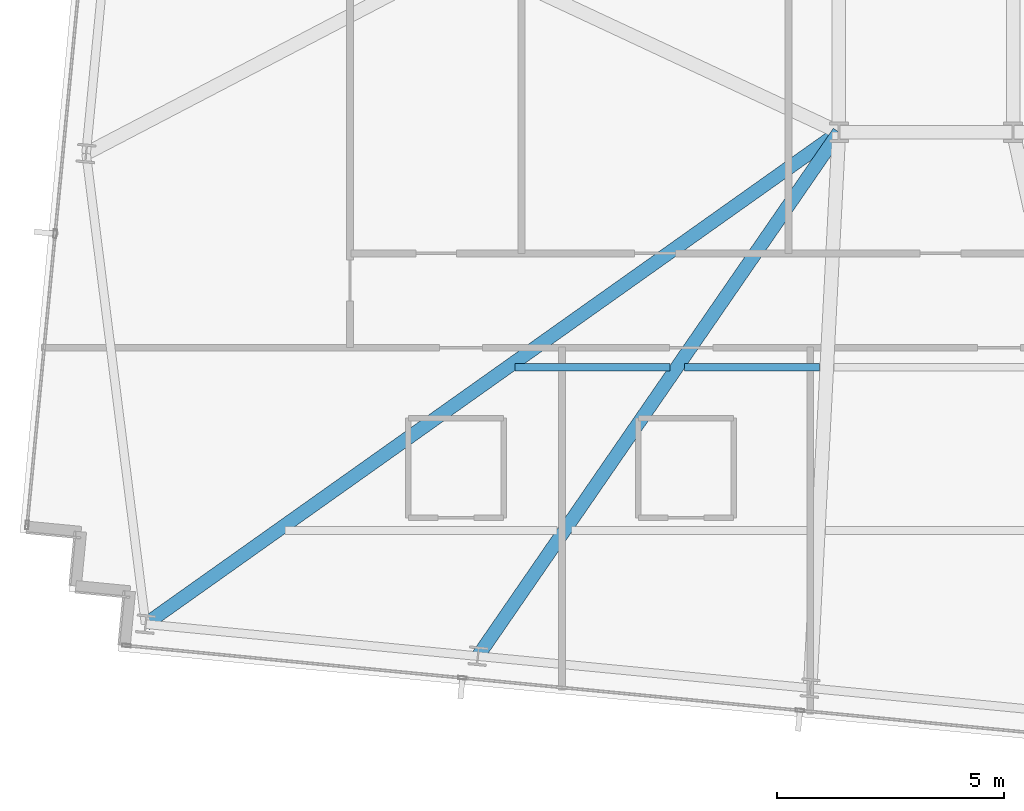
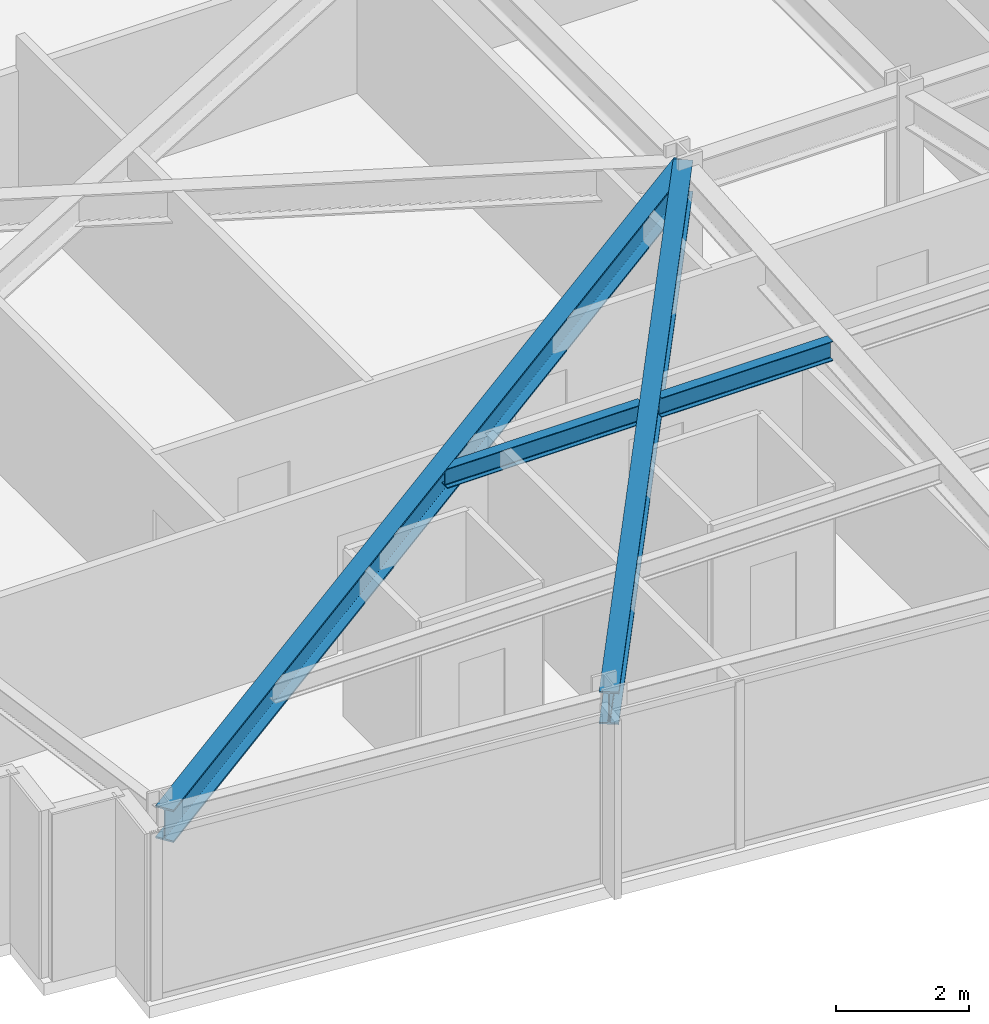
# One storey, part 5 of 38: 4 beams.
"""IFC4 building model written with IfcOpenShell, lengths in metres."""

from ifc_helpers import new_model, si_unit, direction, frame, origin, origin_2d, place, context, subcontext, project, spatial, i_section, extrude, material, material_profile, profile_set, type_object, element, save


model = new_model("IFC4")

# Units and contexts
model_context = context("Model", 3, precision=1e-05, world=origin(), true_north=direction((0.0, 1.0)))
body_context = subcontext(model_context, "Body", "Model", "MODEL_VIEW")
ifc_project = project(units=[si_unit("LENGTHUNIT", "METRE"), si_unit("AREAUNIT", "SQUARE_METRE"), si_unit("VOLUMEUNIT", "CUBIC_METRE"), si_unit("PLANEANGLEUNIT", "RADIAN"), si_unit("MASSUNIT", "GRAM", prefix="KILO")], contexts=[model_context])

# Site, building, storey
site_placement = place(None, origin())
site = spatial("IfcSite", under=ifc_project, at=site_placement, CompositionType="ELEMENT")
building_placement = place(site_placement, origin())
building = spatial("IfcBuilding", under=site, at=building_placement, Name="Yelkora Congress Tower", CompositionType="ELEMENT")
storey_placement = place(building_placement, frame((0.0, 0.0, 185.300048828125)))
storey = spatial("IfcBuildingStorey", under=building, at=storey_placement, Name="L51", CompositionType="ELEMENT", Elevation=185.300048828125)

# Beams
ifc_material = material(Name="Steel S355J2", Category="steel")
ifc_material_profile_1 = material_profile(ifc_material, i_section(OverallWidth=0.300048828125, OverallDepth=0.60009765625, WebThickness=0.015380859375, FlangeThickness=0.030029296875, FilletRadius=0.027099609375, at=origin_2d()), Name="HEB 600")
ifc_profile_set_1 = profile_set([ifc_material_profile_1], Name="Steel S355J2")
beam_type_1 = type_object("IfcBeamType", Name="BM-GIRD-HEB600", PredefinedType="BEAM", material=ifc_profile_set_1)
beam_1_placement = place(storey_placement, frame((3.919189453125, 14.357421875, 2.780029296875), z_axis=(0.815554555366, 0.578680194254, 0.0), x_axis=(-0.578680194254, 0.815554555366, 0.0)))
element("IfcBeam", 1, at=beam_1_placement, inside=storey, type_object=beam_type_1, Name="L51 Primary Frame Girder S01", PredefinedType="BEAM", context=body_context, shape_type="SweptSolid", body=[
    extrude(i_section(OverallWidth=0.300048828125, OverallDepth=0.60009765625, WebThickness=0.015380859375, FlangeThickness=0.030029296875, FilletRadius=0.027099609375, at=origin_2d()), origin(), (0.0, 0.0, 1.0), 18.736572265625),
])
beam_2_placement = place(storey_placement, frame((11.242431640625, 13.652099609375, 2.780029296875), z_axis=(0.567418043278, 0.823429878109, 0.0), x_axis=(-0.823429878109, 0.567418043278, 0.0)))
element("IfcBeam", 2, at=beam_2_placement, inside=storey, type_object=beam_type_1, Name="L51 Primary Frame Girder S02", PredefinedType="BEAM", context=body_context, shape_type="SweptSolid", body=[
    extrude(i_section(OverallWidth=0.300048828125, OverallDepth=0.60009765625, WebThickness=0.015380859375, FlangeThickness=0.030029296875, FilletRadius=0.027099609375, at=origin_2d()), origin(), (0.0, 0.0, 1.0), 14.024169921875),
])
ifc_material_profile_2 = material_profile(ifc_material, i_section(OverallWidth=0.169921875, OverallDepth=0.360107421875, WebThickness=0.008056640625, FlangeThickness=0.0126953125, FilletRadius=0.01806640625, at=origin_2d()), Name="IPE 360")
ifc_profile_set_2 = profile_set([ifc_material_profile_2], Name="Steel S355J2")
beam_type_2 = type_object("IfcBeamType", Name="BM-JOIST-IPE360", PredefinedType="JOIST", material=ifc_profile_set_2)
beam_3_placement = place(storey_placement, frame((12.061279296875, 20.021240234375, 2.89990234375), z_axis=(1.0, 0.0, 0.0), x_axis=(0.0, 1.0, 0.0)))
element("IfcBeam", 3, at=beam_3_placement, inside=storey, type_object=beam_type_2, Name="L51 Composite Floor Joist 12", PredefinedType="JOIST", context=body_context, shape_type="SweptSolid", body=[
    extrude(i_section(OverallWidth=0.169921875, OverallDepth=0.360107421875, WebThickness=0.008056640625, FlangeThickness=0.0126953125, FilletRadius=0.01806640625, at=origin_2d()), origin(), (0.0, 0.0, 1.0), 3.409912109375),
])
beam_4_placement = place(storey_placement, frame((15.791259765625, 20.021240234375, 2.89990234375), z_axis=(1.0, 0.0, 0.0), x_axis=(0.0, 1.0, 0.0)))
element("IfcBeam", 4, at=beam_4_placement, inside=storey, type_object=beam_type_2, Name="L51 Composite Floor Joist 13", PredefinedType="JOIST", context=body_context, shape_type="SweptSolid", body=[
    extrude(i_section(OverallWidth=0.169921875, OverallDepth=0.360107421875, WebThickness=0.008056640625, FlangeThickness=0.0126953125, FilletRadius=0.01806640625, at=origin_2d()), origin(), (0.0, 0.0, 1.0), 2.980712890625),
])

save(model, "model.ifc")
